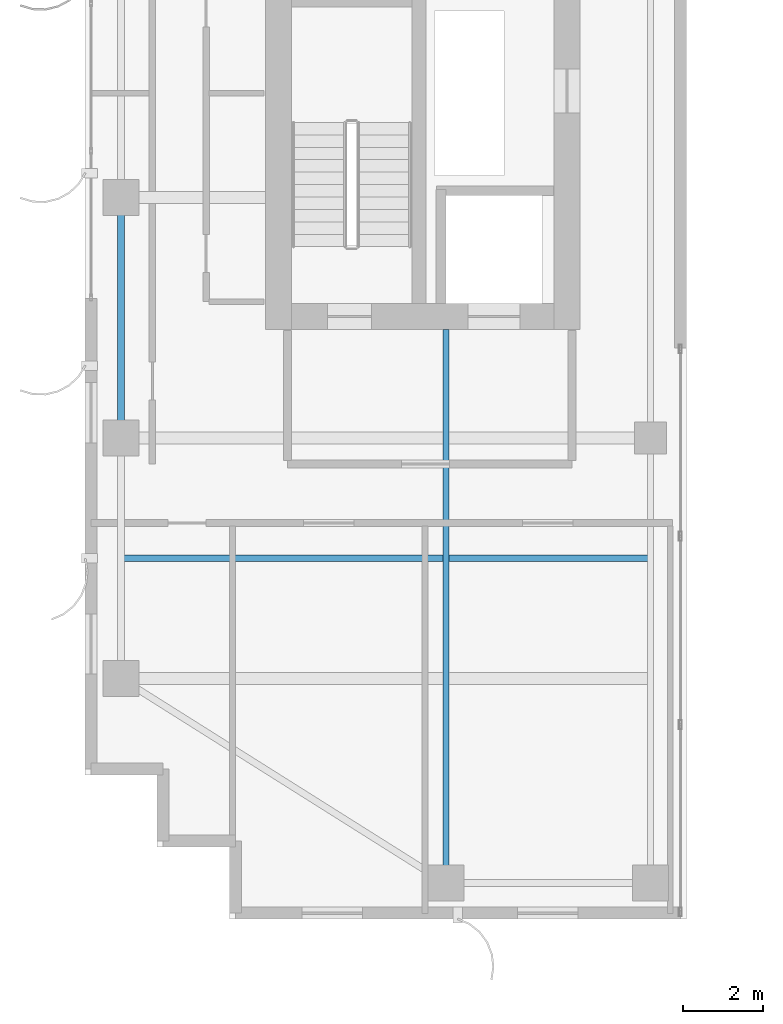
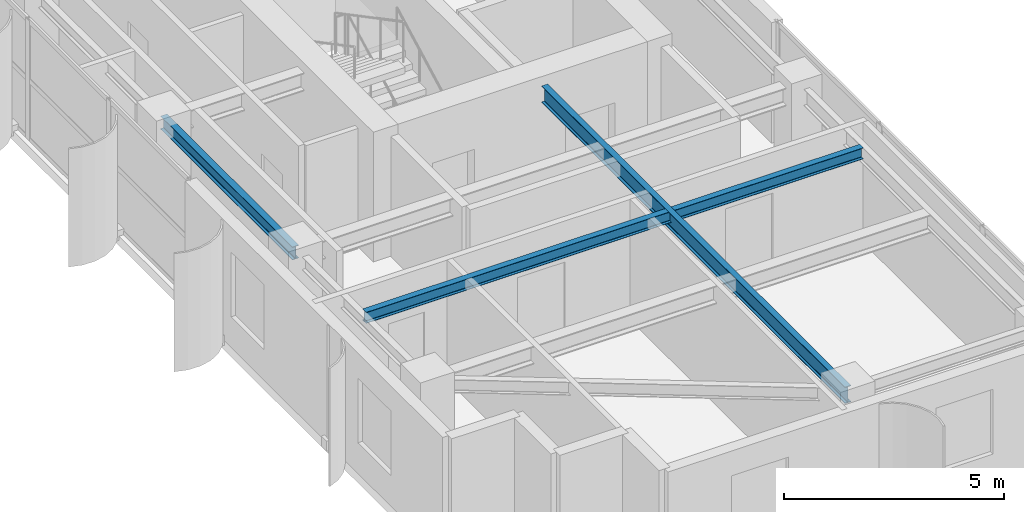
# One storey, part 3 of 22: 3 beams.
"""IFC4 building model written with IfcOpenShell, lengths in metres."""

from ifc_helpers import new_model, si_unit, direction, frame, origin, origin_2d, place, context, subcontext, project, spatial, i_section, extrude, source, transform, mapped, material, material_profile, profile_set, type_object, element, save


model = new_model("IFC4")

# Units and contexts
model_context = context("Model", 3, precision=1e-05, world=origin(), true_north=direction((0.0, 1.0)))
body_context = subcontext(model_context, "Body", "Model", "MODEL_VIEW")
ifc_project = project(units=[si_unit("LENGTHUNIT", "METRE"), si_unit("AREAUNIT", "SQUARE_METRE"), si_unit("VOLUMEUNIT", "CUBIC_METRE"), si_unit("PLANEANGLEUNIT", "RADIAN"), si_unit("MASSUNIT", "GRAM", prefix="KILO")], contexts=[model_context])

# Site, building, storey
site_placement = place(None, origin())
site = spatial("IfcSite", under=ifc_project, at=site_placement, CompositionType="ELEMENT")
building_placement = place(site_placement, origin())
building = spatial("IfcBuilding", under=site, at=building_placement, Name="Khoralis Quay Care Tower", CompositionType="ELEMENT")
storey_placement = place(building_placement, frame((0.0, 0.0, 202.5)))
storey = spatial("IfcBuildingStorey", under=building, at=storey_placement, Name="L53", CompositionType="ELEMENT", Elevation=202.5)

# Beams
ifc_material = material(Name="Steel S355", Category="steel")
ifc_material_profile_1 = material_profile(ifc_material, i_section(OverallWidth=0.169921875, OverallDepth=0.360107421875, WebThickness=0.008056640625, FlangeThickness=0.0126953125, FilletRadius=0.01806640625, at=origin_2d()), Name="Steel S355")
ifc_profile_set_1 = profile_set([ifc_material_profile_1], Name="Steel S355")
beam_type_1 = type_object("IfcBeamType", Name="BM-IPE360", PredefinedType="SPANDREL", material=ifc_profile_set_1)
shared_shape_1 = source(origin(), body_context, "Body", "SweptSolid", [
    extrude(i_section(OverallWidth=0.169921875, OverallDepth=0.360107421875, WebThickness=0.008056640625, FlangeThickness=0.0126953125, FilletRadius=0.01806640625, at=origin_2d()), origin(), (0.0, 0.0, 1.0), 6.0),
])
beam_1_placement = place(storey_placement, frame((3.89990234375, 12.0, 3.159912109375), z_axis=(0.0, 1.0, 0.0), x_axis=(-1.0, 0.0, 0.0)))
element("IfcBeam", 1, at=beam_1_placement, inside=storey, type_object=beam_type_1, Name="BM-TSP-L53-06", PredefinedType="SPANDREL", context=body_context, shape_type="MappedRepresentation", body=[
    mapped(shared_shape_1, transform((0.0, 0.0, 0.0), scale=1.0)),
])
ifc_material_profile_2 = material_profile(ifc_material, i_section(OverallWidth=0.154052734375, OverallDepth=0.458984375, WebThickness=0.009033203125, FlangeThickness=0.015380859375, FilletRadius=0.014892578125, at=origin_2d()), Name="Steel S355")
ifc_profile_set_2 = profile_set([ifc_material_profile_2], Name="Steel S355")
beam_type_2 = type_object("IfcBeamType", Name="BM-W460X68", PredefinedType="BEAM", material=ifc_profile_set_2)
shared_shape_2 = source(origin(), body_context, "Body", "SweptSolid", [
    extrude(i_section(OverallWidth=0.154052734375, OverallDepth=0.458984375, WebThickness=0.009033203125, FlangeThickness=0.015380859375, FilletRadius=0.014892578125, at=origin_2d()), origin(), (0.0, 0.0, 1.0), 13.802001953125),
])
beam_2_placement = place(storey_placement, frame((12.0, 0.89990234375, 3.110595703125), z_axis=(0.0, 1.0, 0.0), x_axis=(-1.0, 0.0, 0.0)))
element("IfcBeam", 2, at=beam_2_placement, inside=storey, type_object=beam_type_2, Name="BM-TGYS-L53-120", PredefinedType="BEAM", context=body_context, shape_type="MappedRepresentation", body=[
    mapped(shared_shape_2, transform((0.0, 0.0, 0.0), scale=1.0)),
])
ifc_material_profile_3 = material_profile(ifc_material, i_section(OverallWidth=0.1650390625, OverallDepth=0.31005859375, WebThickness=0.005859375, FlangeThickness=0.009765625, FilletRadius=0.011962890625, at=origin_2d()), Name="Steel S355")
ifc_profile_set_3 = profile_set([ifc_material_profile_3], Name="Steel S355")
beam_type_3 = type_object("IfcBeamType", Name="BM-W310X39", PredefinedType="JOIST", material=ifc_profile_set_3)
shared_shape_3 = source(origin(), body_context, "Body", "SweptSolid", [
    extrude(i_section(OverallWidth=0.1650390625, OverallDepth=0.31005859375, WebThickness=0.005859375, FlangeThickness=0.009765625, FilletRadius=0.011962890625, at=origin_2d()), origin(), (0.0, 0.0, 1.0), 13.06396484375),
])
beam_3_placement = place(storey_placement, frame((3.970947265625, 9.0, 3.18505859375), z_axis=(1.0, 0.0, 0.0), x_axis=(0.0, 1.0, 0.0)))
element("IfcBeam", 3, at=beam_3_placement, inside=storey, type_object=beam_type_3, Name="BM-TJS-L53-19", PredefinedType="JOIST", context=body_context, shape_type="MappedRepresentation", body=[
    mapped(shared_shape_3, transform((0.0, 0.0, 0.0), scale=1.0)),
])

save(model, "model.ifc")
